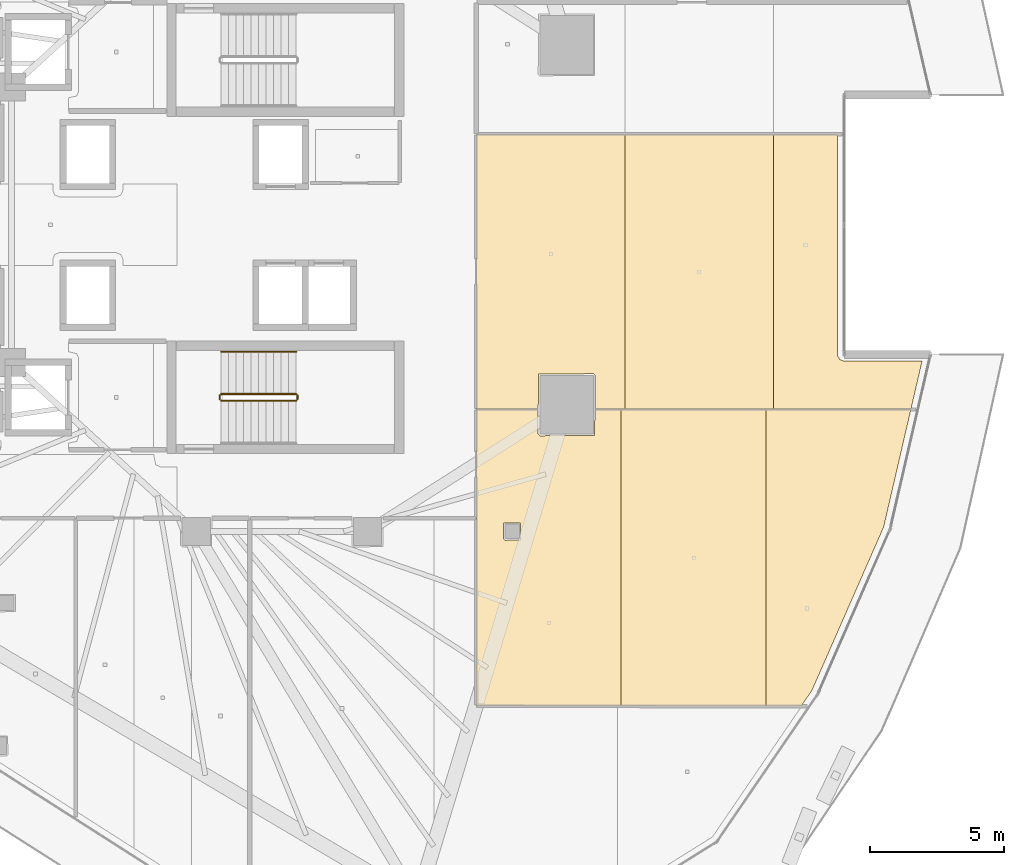
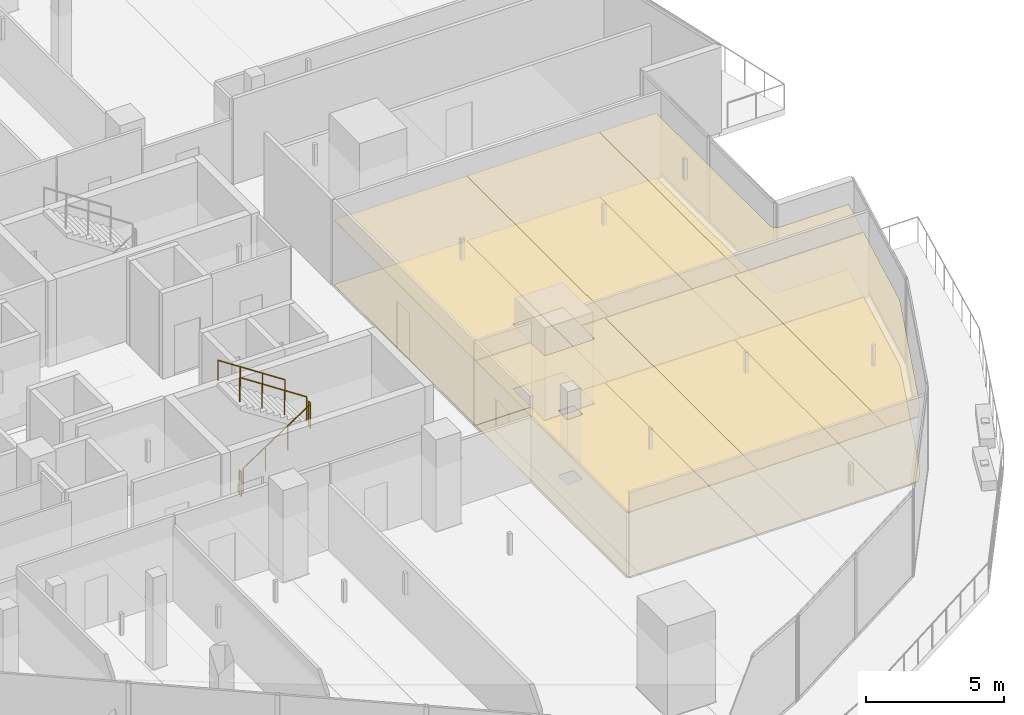
# One storey, part 35 of 39: 12 coverings, 5 railings.
"""IFC4 building model written with IfcOpenShell, lengths in metres."""

from ifc_helpers import new_model, si_unit, direction, frame, origin, origin_2d, place, context, subcontext, project, spatial, polyline, circle, outline, extrude, material, layer, layer_set, type_object, element, save


model = new_model("IFC4")

# Units and contexts
model_context = context("Model", 3, precision=1e-05, world=origin(), true_north=direction((0.0, 1.0)))
body_context = subcontext(model_context, "Body", "Model", "MODEL_VIEW")
ifc_project = project(units=[si_unit("LENGTHUNIT", "METRE"), si_unit("AREAUNIT", "SQUARE_METRE"), si_unit("VOLUMEUNIT", "CUBIC_METRE"), si_unit("PLANEANGLEUNIT", "RADIAN"), si_unit("MASSUNIT", "GRAM", prefix="KILO")], contexts=[model_context])

# Site, building, storey
site_placement = place(None, origin())
site = spatial("IfcSite", under=ifc_project, at=site_placement, CompositionType="ELEMENT")
building_placement = place(site_placement, origin())
building = spatial("IfcBuilding", under=site, at=building_placement, Name="Qorvath Tower", CompositionType="ELEMENT")
storey_placement = place(building_placement, frame((0.0, 0.0, 142.199951171875)))
storey = spatial("IfcBuildingStorey", under=building, at=storey_placement, Name="L32", CompositionType="ELEMENT", Elevation=142.199951171875)

# Coverings
ifc_material_1 = material(Name="Acoustic mineral fibre ceiling tile", Category="gypsum")
ifc_layer_1 = layer(ifc_material_1, 0.030029296875)
ifc_layer_set_1 = layer_set([ifc_layer_1], Name="COV-CEIL")
covering_type_1 = type_object("IfcCoveringType", Name="COV-CEIL", PredefinedType="CEILING", material=ifc_layer_set_1)
covering_1_placement = place(storey_placement, frame((0.0, 0.0, 2.85009765625)))
element("IfcCovering", 1, at=covering_1_placement, inside=storey, type_object=covering_type_1, Name="L32 Suspended Acoustic Ceiling 029", PredefinedType="CEILING", context=body_context, shape_type="SweptSolid", body=[
    extrude(outline(polyline([(-13.136962890625, -17.95458984375), (-7.728759765625, -17.9619140625), (-7.728759765625, -6.90185546875), (-8.710205078125, -6.90185546875), (-8.727783203125, -7.86376953125), (-10.770263671875, -7.88134765625), (-10.830322265625, -7.8212890625), (-10.830322265625, -6.90185546875), (-13.136962890625, -6.90185546875), (-13.136962890625, -17.95458984375)]), holes=[polyline([(-12.135009765625, -11.72509765625), (-12.117431640625, -11.132568359375), (-11.482666015625, -11.132568359375), (-11.482666015625, -11.767333984375), (-12.074951171875, -11.784912109375), (-12.135009765625, -11.72509765625)])]), origin(), (0.0, 0.0, 1.0), 0.030029296875),
])
covering_2_placement = place(storey_placement, frame((0.0, 0.0, 2.85009765625)))
element("IfcCovering", 2, at=covering_2_placement, inside=storey, type_object=covering_type_1, Name="L32 Suspended Acoustic Ceiling 030", PredefinedType="CEILING", context=body_context, shape_type="SweptSolid", body=[
    extrude(outline(polyline([(-7.728759765625, -6.90185546875), (-7.728759765625, -17.9619140625), (-2.320556640625, -17.968994140625), (-2.320556640625, -6.90185546875), (-7.728759765625, -6.90185546875)])), origin(), (0.0, 0.0, 1.0), 0.030029296875),
])
covering_3_placement = place(storey_placement, frame((0.0, 0.0, 2.85009765625)))
element("IfcCovering", 3, at=covering_3_placement, inside=storey, type_object=covering_type_1, Name="L32 Suspended Acoustic Ceiling 031", PredefinedType="CEILING", context=body_context, shape_type="SweptSolid", body=[
    extrude(outline(polyline([(-2.320556640625, -6.90185546875), (-2.320556640625, -17.968994140625), (-1.004150390625, -17.970947265625), (-0.60205078125, -17.382568359375), (2.072265625, -11.2880859375), (3.087646484375, -6.90185546875), (-2.320556640625, -6.90185546875)])), origin(), (0.0, 0.0, 1.0), 0.030029296875),
])
covering_4_placement = place(storey_placement, frame((0.0, 0.0, 2.85009765625)))
element("IfcCovering", 4, at=covering_4_placement, inside=storey, type_object=covering_type_1, Name="L32 Suspended Acoustic Ceiling 032", PredefinedType="CEILING", context=body_context, shape_type="SweptSolid", body=[
    extrude(outline(polyline([(-7.589111328125, -6.8837890625), (-7.589111328125, 3.3779296875), (-13.136962890625, 3.3779296875), (-13.136962890625, -6.8837890625), (-10.830322265625, -6.8837890625), (-10.812744140625, -5.578857421875), (-8.770263671875, -5.561279296875), (-8.710205078125, -5.621337890625), (-8.710205078125, -6.8837890625), (-7.589111328125, -6.8837890625)])), origin(), (0.0, 0.0, 1.0), 0.030029296875),
])
covering_5_placement = place(storey_placement, frame((0.0, 0.0, 2.85009765625)))
element("IfcCovering", 5, at=covering_5_placement, inside=storey, type_object=covering_type_1, Name="L32 Suspended Acoustic Ceiling 033", PredefinedType="CEILING", context=body_context, shape_type="SweptSolid", body=[
    extrude(outline(polyline([(-2.04150390625, -6.8837890625), (-2.04150390625, 3.3779296875), (-7.589111328125, 3.3779296875), (-7.589111328125, -6.8837890625), (-2.04150390625, -6.8837890625)])), origin(), (0.0, 0.0, 1.0), 0.030029296875),
])
covering_6_placement = place(storey_placement, frame((0.0, 0.0, 2.85009765625)))
element("IfcCovering", 6, at=covering_6_placement, inside=storey, type_object=covering_type_1, Name="L32 Suspended Acoustic Ceiling 034", PredefinedType="CEILING", context=body_context, shape_type="SweptSolid", body=[
    extrude(outline(polyline([(0.438720703125, -5.0341796875), (0.351318359375, -4.88720703125), (0.3466796875, 3.3779296875), (-2.04150390625, 3.3779296875), (-2.04150390625, -6.8837890625), (3.092041015625, -6.8837890625), (3.50634765625, -5.093505859375), (0.5771484375, -5.09228515625), (0.438720703125, -5.0341796875)])), origin(), (0.0, 0.0, 1.0), 0.030029296875),
])
ifc_material_2 = material(Name="Low-VOC modular carpet tile", Category="textile")
ifc_layer_2 = layer(ifc_material_2, 0.014892578125)
ifc_layer_set_2 = layer_set([ifc_layer_2], Name="COV-FLOOR-CPT")
covering_type_2 = type_object("IfcCoveringType", Name="COV-FLOOR-CPT", PredefinedType="FLOORING", material=ifc_layer_set_2)
covering_7_placement = place(storey_placement, origin())
element("IfcCovering", 7, at=covering_7_placement, inside=storey, type_object=covering_type_2, Name="L32 Floor Finish 029", PredefinedType="FLOORING", context=body_context, shape_type="SweptSolid", body=[
    extrude(outline(polyline([(-13.136962890625, -17.95458984375), (-7.728759765625, -17.9619140625), (-7.728759765625, -6.90185546875), (-8.710205078125, -6.90185546875), (-8.727783203125, -7.86376953125), (-10.770263671875, -7.88134765625), (-10.830322265625, -7.8212890625), (-10.830322265625, -6.90185546875), (-13.136962890625, -6.90185546875), (-13.136962890625, -17.95458984375)]), holes=[polyline([(-12.135009765625, -11.72509765625), (-12.117431640625, -11.132568359375), (-11.482666015625, -11.132568359375), (-11.482666015625, -11.767333984375), (-12.074951171875, -11.784912109375), (-12.135009765625, -11.72509765625)])]), origin(), (0.0, 0.0, 1.0), 0.01513671875),
])
covering_8_placement = place(storey_placement, origin())
element("IfcCovering", 8, at=covering_8_placement, inside=storey, type_object=covering_type_2, Name="L32 Floor Finish 030", PredefinedType="FLOORING", context=body_context, shape_type="SweptSolid", body=[
    extrude(outline(polyline([(-7.728759765625, -6.90185546875), (-7.728759765625, -17.9619140625), (-2.320556640625, -17.968994140625), (-2.320556640625, -6.90185546875), (-7.728759765625, -6.90185546875)])), origin(), (0.0, 0.0, 1.0), 0.01513671875),
])
covering_9_placement = place(storey_placement, origin())
element("IfcCovering", 9, at=covering_9_placement, inside=storey, type_object=covering_type_2, Name="L32 Floor Finish 031", PredefinedType="FLOORING", context=body_context, shape_type="SweptSolid", body=[
    extrude(outline(polyline([(-2.320556640625, -6.90185546875), (-2.320556640625, -17.968994140625), (-1.004150390625, -17.970947265625), (-0.60205078125, -17.382568359375), (2.072265625, -11.2880859375), (3.087646484375, -6.90185546875), (-2.320556640625, -6.90185546875)])), origin(), (0.0, 0.0, 1.0), 0.01513671875),
])
covering_10_placement = place(storey_placement, origin())
element("IfcCovering", 10, at=covering_10_placement, inside=storey, type_object=covering_type_2, Name="L32 Floor Finish 032", PredefinedType="FLOORING", context=body_context, shape_type="SweptSolid", body=[
    extrude(outline(polyline([(-7.589111328125, -6.8837890625), (-7.589111328125, 3.3779296875), (-13.136962890625, 3.3779296875), (-13.136962890625, -6.8837890625), (-10.830322265625, -6.8837890625), (-10.812744140625, -5.578857421875), (-8.770263671875, -5.561279296875), (-8.710205078125, -5.621337890625), (-8.710205078125, -6.8837890625), (-7.589111328125, -6.8837890625)])), origin(), (0.0, 0.0, 1.0), 0.01513671875),
])
covering_11_placement = place(storey_placement, origin())
element("IfcCovering", 11, at=covering_11_placement, inside=storey, type_object=covering_type_2, Name="L32 Floor Finish 033", PredefinedType="FLOORING", context=body_context, shape_type="SweptSolid", body=[
    extrude(outline(polyline([(-2.04150390625, -6.8837890625), (-2.04150390625, 3.3779296875), (-7.589111328125, 3.3779296875), (-7.589111328125, -6.8837890625), (-2.04150390625, -6.8837890625)])), origin(), (0.0, 0.0, 1.0), 0.01513671875),
])
covering_12_placement = place(storey_placement, origin())
element("IfcCovering", 12, at=covering_12_placement, inside=storey, type_object=covering_type_2, Name="L32 Floor Finish 034", PredefinedType="FLOORING", context=body_context, shape_type="SweptSolid", body=[
    extrude(outline(polyline([(0.438720703125, -5.0341796875), (0.351318359375, -4.88720703125), (0.3466796875, 3.3779296875), (-2.04150390625, 3.3779296875), (-2.04150390625, -6.8837890625), (3.092041015625, -6.8837890625), (3.50634765625, -5.093505859375), (0.5771484375, -5.09228515625), (0.438720703125, -5.0341796875)])), origin(), (0.0, 0.0, 1.0), 0.01513671875),
])

# Railings
ifc_material_3 = material(Name="Painted galvanised steel", Category="steel")
railing_type_1 = type_object("IfcRailingType", Name="RL-STR-GRD", PredefinedType="GUARDRAIL", material=ifc_material_3)
railing_1_placement = place(storey_placement, frame((-22.669921875, -6.570068359375, 0.18408203125)))
element("IfcRailing", 13, at=railing_1_placement, inside=storey, type_object=railing_type_1, Name="L32 TS2 stair guard 1", PredefinedType="GUARDRAIL", context=body_context, shape_type="SweptSolid", body=[
    extrude(circle(Radius=0.02392578125, at=origin_2d()), frame((0.0, 0.0, 1.076171875), z_axis=(0.835542071712, 0.0, 0.549426470421), x_axis=(0.0, 1.0, 0.0)), (0.0, 0.0, 1.0), 3.350830078125),
    extrude(circle(Radius=0.02099609375, at=origin_2d()), origin(), (0.0, 0.0, 1.0), 1.052001953125),
    extrude(circle(Radius=0.02099609375, at=origin_2d()), frame((0.933349609375, 0.0, 0.61376953125)), (0.0, 0.0, 1.0), 1.052001953125),
    extrude(circle(Radius=0.02099609375, at=origin_2d()), frame((1.866455078125, 0.0, 1.227294921875)), (0.0, 0.0, 1.0), 1.052001953125),
    extrude(circle(Radius=0.02099609375, at=origin_2d()), frame((2.7998046875, 0.0, 1.841064453125)), (0.0, 0.0, 1.0), 1.052001953125),
])
railing_2_placement = place(storey_placement, frame((-19.820068359375, -6.52001953125, 2.025146484375)))
element("IfcRailing", 14, at=railing_2_placement, inside=storey, type_object=railing_type_1, Name="L32 TS2 stair guard 2", PredefinedType="GUARDRAIL", context=body_context, shape_type="SweptSolid", body=[
    extrude(circle(Radius=0.02392578125, at=origin_2d()), frame((0.0, 0.0, 1.076171875), z_axis=(0.0, 1.0, 0.0), x_axis=(-1.0, 0.0, 0.0)), (0.0, 0.0, 1.0), 0.14990234375),
    extrude(circle(Radius=0.02099609375, at=origin_2d()), origin(), (0.0, 0.0, 1.0), 1.052001953125),
    extrude(circle(Radius=0.02099609375, at=origin_2d()), frame((0.0, 0.14990234375, 0.0)), (0.0, 0.0, 1.0), 1.052001953125),
])
railing_3_placement = place(storey_placement, frame((-19.8701171875, -6.320068359375, 2.209228515625)))
element("IfcRailing", 15, at=railing_3_placement, inside=storey, type_object=railing_type_1, Name="L32 TS2 stair guard 3", PredefinedType="GUARDRAIL", context=body_context, shape_type="SweptSolid", body=[
    extrude(circle(Radius=0.02392578125, at=origin_2d()), frame((0.0, 0.0, 1.076171875), z_axis=(-0.835575518608, 0.0, 0.549375602573), x_axis=(0.0, -1.0, 0.0)), (0.0, 0.0, 1.0), 3.350830078125),
    extrude(circle(Radius=0.02099609375, at=origin_2d()), origin(), (0.0, 0.0, 1.0), 1.052001953125),
    extrude(circle(Radius=0.02099609375, at=origin_2d()), frame((-0.933349609375, 0.0, 0.613525390625)), (0.0, 0.0, 1.0), 1.052001953125),
    extrude(circle(Radius=0.02099609375, at=origin_2d()), frame((-1.866455078125, 0.0, 1.227294921875)), (0.0, 0.0, 1.0), 1.052001953125),
    extrude(circle(Radius=0.02099609375, at=origin_2d()), frame((-2.7998046875, 0.0, 1.8408203125)), (0.0, 0.0, 1.0), 1.052001953125),
])
railing_4_placement = place(storey_placement, frame((-22.719970703125, -6.52001953125, 0.0)))
element("IfcRailing", 16, at=railing_4_placement, inside=storey, type_object=railing_type_1, Name="L32 TS2 stair guard 4", PredefinedType="GUARDRAIL", context=body_context, shape_type="SweptSolid", body=[
    extrude(circle(Radius=0.02392578125, at=origin_2d()), frame((0.0, 0.0, 1.076171875), z_axis=(0.0, 1.0, 0.0), x_axis=(-1.0, 0.0, 0.0)), (0.0, 0.0, 1.0), 0.14990234375),
    extrude(circle(Radius=0.02099609375, at=origin_2d()), origin(), (0.0, 0.0, 1.0), 1.052001953125),
    extrude(circle(Radius=0.02099609375, at=origin_2d()), frame((0.0, 0.14990234375, 0.0)), (0.0, 0.0, 1.0), 1.052001953125),
])
ifc_material_4 = material(Name="Brushed stainless steel AISI 304", Category="steel")
railing_type_2 = type_object("IfcRailingType", Name="RL-STR-HND", PredefinedType="HANDRAIL", material=ifc_material_4)
railing_5_placement = place(storey_placement, frame((-19.8701171875, -4.739990234375, 2.209228515625)))
element("IfcRailing", 17, at=railing_5_placement, inside=storey, type_object=railing_type_2, Name="L32 TS2 stair handrail 2", PredefinedType="HANDRAIL", context=body_context, shape_type="SweptSolid", body=[
    extrude(circle(Radius=0.02392578125, at=origin_2d()), frame((0.0, 0.0, 0.8759765625), z_axis=(-0.835575518608, 0.0, 0.549375602573), x_axis=(0.0, -1.0, 0.0)), (0.0, 0.0, 1.0), 3.350830078125),
    extrude(circle(Radius=0.02099609375, at=origin_2d()), origin(), (0.0, 0.0, 1.0), 0.851806640625),
    extrude(circle(Radius=0.02099609375, at=origin_2d()), frame((-0.933349609375, 0.0, 0.613525390625)), (0.0, 0.0, 1.0), 0.851806640625),
    extrude(circle(Radius=0.02099609375, at=origin_2d()), frame((-1.866455078125, 0.0, 1.227294921875)), (0.0, 0.0, 1.0), 0.851806640625),
    extrude(circle(Radius=0.02099609375, at=origin_2d()), frame((-2.7998046875, 0.0, 1.8408203125)), (0.0, 0.0, 1.0), 0.851806640625),
])

save(model, "model.ifc")
